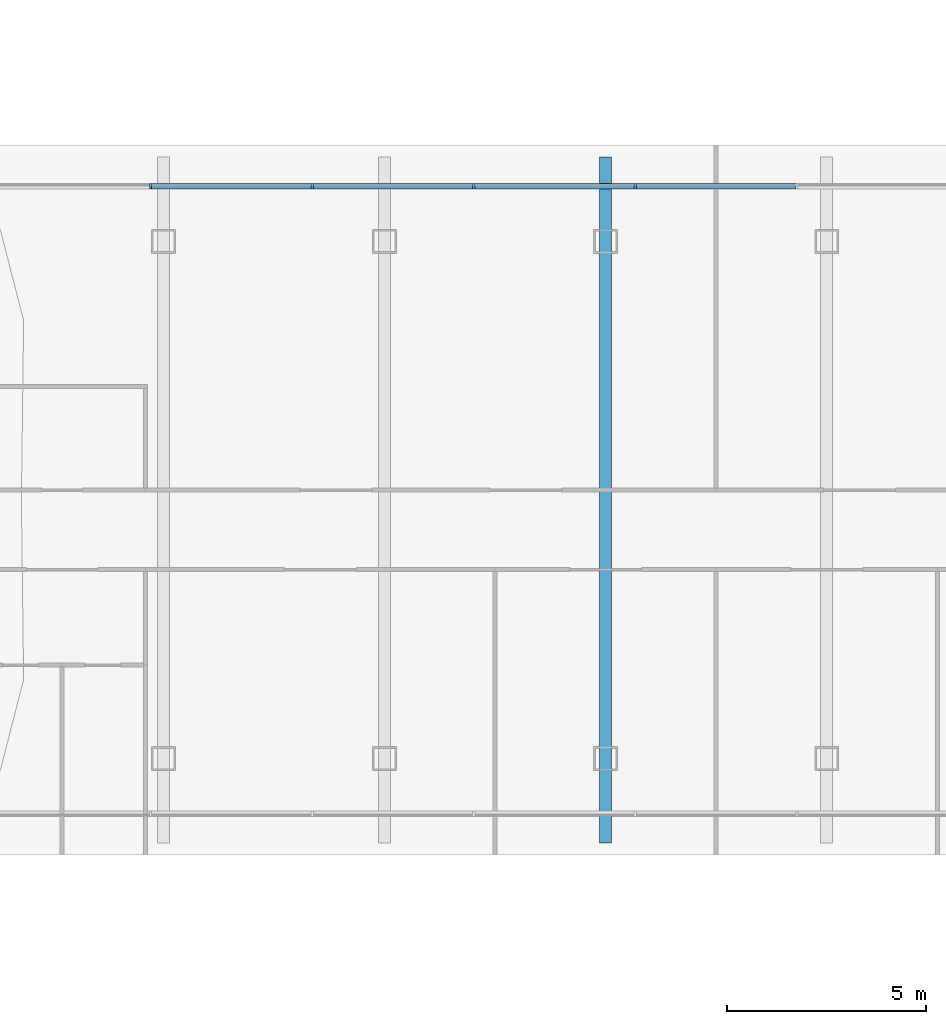
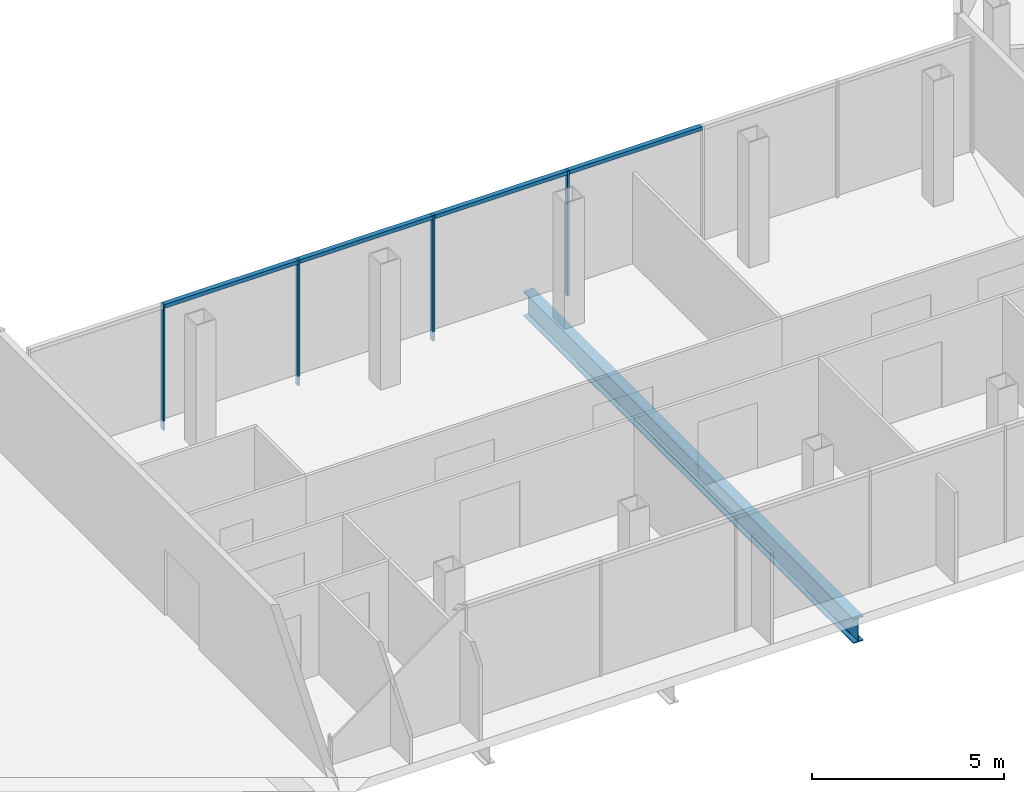
# One storey, part 8 of 25: 8 members, 1 beam, 1 element without a shape of its own.
"""IFC4 building model written with IfcOpenShell, lengths in metres."""

from ifc_helpers import new_model, si_unit, direction, frame, origin, origin_2d, place, context, subcontext, project, spatial, rectangle, i_section, extrude, material, material_profile, profile_set, type_object, element, aggregate, save


model = new_model("IFC4")

# Units and contexts
model_context = context("Model", 3, precision=1e-05, world=origin(), true_north=direction((0.0, 1.0)))
body_context = subcontext(model_context, "Body", "Model", "MODEL_VIEW")
ifc_project = project(units=[si_unit("LENGTHUNIT", "METRE"), si_unit("AREAUNIT", "SQUARE_METRE"), si_unit("VOLUMEUNIT", "CUBIC_METRE"), si_unit("PLANEANGLEUNIT", "RADIAN"), si_unit("MASSUNIT", "GRAM", prefix="KILO")], contexts=[model_context])

# Site, building, storey
site_placement = place(None, origin())
site = spatial("IfcSite", under=ifc_project, at=site_placement, CompositionType="ELEMENT")
building_placement = place(site_placement, origin())
building = spatial("IfcBuilding", under=site, at=building_placement, Name="Ogive Gate Towers", CompositionType="ELEMENT")
storey_placement = place(building_placement, frame((0.0, 0.0, 144.800048828125)))
storey = spatial("IfcBuildingStorey", under=building, at=storey_placement, Name="L34", CompositionType="ELEMENT", Elevation=144.800048828125)

# Beam
ifc_material_1 = material(Name="Steel SM460", Category="steel")
ifc_material_profile_1 = material_profile(ifc_material_1, i_section(OverallWidth=0.300048828125, OverallDepth=0.7900390625, WebThickness=0.014892578125, FlangeThickness=0.028076171875, FilletRadius=0.030029296875, at=origin_2d()), Name="HE 800 A")
ifc_profile_set_1 = profile_set([ifc_material_profile_1], Name="Steel SM460")
beam_type = type_object("IfcBeamType", Name="Block floor beam HE 800 A", PredefinedType="BEAM", material=ifc_profile_set_1)
beam_placement = place(storey_placement, frame((1.282470703125, -8.616455078125, -0.695068359375), z_axis=(0.0, 1.0, 0.0), x_axis=(-1.0, 0.0, 0.0)))
element("IfcBeam", 1, at=beam_placement, inside=storey, type_object=beam_type, Name="BR/L34/SBM003", PredefinedType="BEAM", context=body_context, shape_type="SweptSolid", body=[
    extrude(i_section(OverallWidth=0.300048828125, OverallDepth=0.7900390625, WebThickness=0.014892578125, FlangeThickness=0.028076171875, FilletRadius=0.030029296875, at=origin_2d()), origin(), (0.0, 0.0, 1.0), 17.23291015625),
])

# Curtain wall, members
ifc_material_2 = material(Name="Pale metal aluminium", Category="aluminium")
curtain_wall_type = type_object("IfcCurtainWallType", Name="Gate block facade", PredefinedType="NOTDEFINED", material=ifc_material_2)
curtain_wall_placement = place(storey_placement, origin())
curtain_wall = element("IfcCurtainWall", 2, at=curtain_wall_placement, inside=storey, type_object=curtain_wall_type, Name="CW3 BR ECW02", PredefinedType="NOTDEFINED")
ifc_material_profile_2 = material_profile(ifc_material_2, rectangle(XDim=0.139892578125, YDim=0.06005859375, at=origin_2d()), Name="60 x 140 aluminium box")
ifc_profile_set_2 = profile_set([ifc_material_profile_2], Name="Pale metal aluminium")
member_type_1 = type_object("IfcMemberType", Name="Gate block facade mullion 60 x 140", PredefinedType="MULLION", material=ifc_profile_set_2)
member_1_placement = place(storey_placement, frame((2.031005859375, 7.886474609375, -0.300048828125), z_axis=(0.0, 0.0, 1.0), x_axis=(0.0, 1.0, 0.0)))
member_1 = element("IfcMember", 3, at=member_1_placement, type_object=member_type_1, Name="CW3 mullion", PredefinedType="MULLION", context=body_context, shape_type="SweptSolid", body=[
    extrude(rectangle(XDim=0.139892578125, YDim=0.06005859375, at=origin_2d()), origin(), (0.0, 0.0, 1.0), 4.0),
])
member_2_placement = place(storey_placement, frame((-2.031005859375, 7.886474609375, -0.300048828125), z_axis=(0.0, 0.0, 1.0), x_axis=(0.0, 1.0, 0.0)))
member_2 = element("IfcMember", 4, at=member_2_placement, type_object=member_type_1, Name="CW3 mullion", PredefinedType="MULLION", context=body_context, shape_type="SweptSolid", body=[
    extrude(rectangle(XDim=0.139892578125, YDim=0.06005859375, at=origin_2d()), origin(), (0.0, 0.0, 1.0), 4.0),
])
member_3_placement = place(storey_placement, frame((-6.09326171875, 7.886474609375, -0.300048828125), z_axis=(0.0, 0.0, 1.0), x_axis=(0.0, 1.0, 0.0)))
member_3 = element("IfcMember", 5, at=member_3_placement, type_object=member_type_1, Name="CW3 mullion", PredefinedType="MULLION", context=body_context, shape_type="SweptSolid", body=[
    extrude(rectangle(XDim=0.139892578125, YDim=0.06005859375, at=origin_2d()), origin(), (0.0, 0.0, 1.0), 4.0),
])
member_4_placement = place(storey_placement, frame((-10.1552734375, 7.886474609375, -0.300048828125), z_axis=(0.0, 0.0, 1.0), x_axis=(0.0, 1.0, 0.0)))
member_4 = element("IfcMember", 6, at=member_4_placement, type_object=member_type_1, Name="CW3 mullion", PredefinedType="MULLION", context=body_context, shape_type="SweptSolid", body=[
    extrude(rectangle(XDim=0.139892578125, YDim=0.06005859375, at=origin_2d()), origin(), (0.0, 0.0, 1.0), 4.0),
])
ifc_material_profile_3 = material_profile(ifc_material_2, rectangle(XDim=0.139892578125, YDim=0.1201171875, at=origin_2d()), Name="120 x 140 aluminium box")
ifc_profile_set_3 = profile_set([ifc_material_profile_3], Name="Pale metal aluminium")
member_type_2 = type_object("IfcMemberType", Name="Gate block facade transom 120 x 140", PredefinedType="USERDEFINED", material=ifc_profile_set_3)
member_5_placement = place(storey_placement, frame((6.063232421875, 7.886474609375, 3.639892578125), z_axis=(-1.0, 0.0, 0.0), x_axis=(0.0, -1.0, 0.0)))
member_5 = element("IfcMember", 7, at=member_5_placement, type_object=member_type_2, Name="CW3 transom", ObjectType="TRANSOM", PredefinedType="USERDEFINED", context=body_context, shape_type="SweptSolid", body=[
    extrude(rectangle(XDim=0.139892578125, YDim=0.1201171875, at=origin_2d()), origin(), (0.0, 0.0, 1.0), 4.002197265625),
])
member_6_placement = place(storey_placement, frame((2.001220703125, 7.886474609375, 3.639892578125), z_axis=(-1.0, 0.0, 0.0), x_axis=(0.0, -1.0, 0.0)))
member_6 = element("IfcMember", 8, at=member_6_placement, type_object=member_type_2, Name="CW3 transom", ObjectType="TRANSOM", PredefinedType="USERDEFINED", context=body_context, shape_type="SweptSolid", body=[
    extrude(rectangle(XDim=0.139892578125, YDim=0.1201171875, at=origin_2d()), origin(), (0.0, 0.0, 1.0), 4.00244140625),
])
member_7_placement = place(storey_placement, frame((-2.06103515625, 7.886474609375, 3.639892578125), z_axis=(-1.0, 0.0, 0.0), x_axis=(0.0, -1.0, 0.0)))
member_7 = element("IfcMember", 9, at=member_7_placement, type_object=member_type_2, Name="CW3 transom", ObjectType="TRANSOM", PredefinedType="USERDEFINED", context=body_context, shape_type="SweptSolid", body=[
    extrude(rectangle(XDim=0.139892578125, YDim=0.1201171875, at=origin_2d()), origin(), (0.0, 0.0, 1.0), 4.002197265625),
])
member_8_placement = place(storey_placement, frame((-6.123291015625, 7.886474609375, 3.639892578125), z_axis=(-1.0, 0.0, 0.0), x_axis=(0.0, -1.0, 0.0)))
member_8 = element("IfcMember", 10, at=member_8_placement, type_object=member_type_2, Name="CW3 transom", ObjectType="TRANSOM", PredefinedType="USERDEFINED", context=body_context, shape_type="SweptSolid", body=[
    extrude(rectangle(XDim=0.139892578125, YDim=0.1201171875, at=origin_2d()), origin(), (0.0, 0.0, 1.0), 4.001953125),
])
aggregate(curtain_wall, [member_1, member_5, member_2, member_6, member_3, member_7, member_4, member_8])

save(model, "model.ifc")
